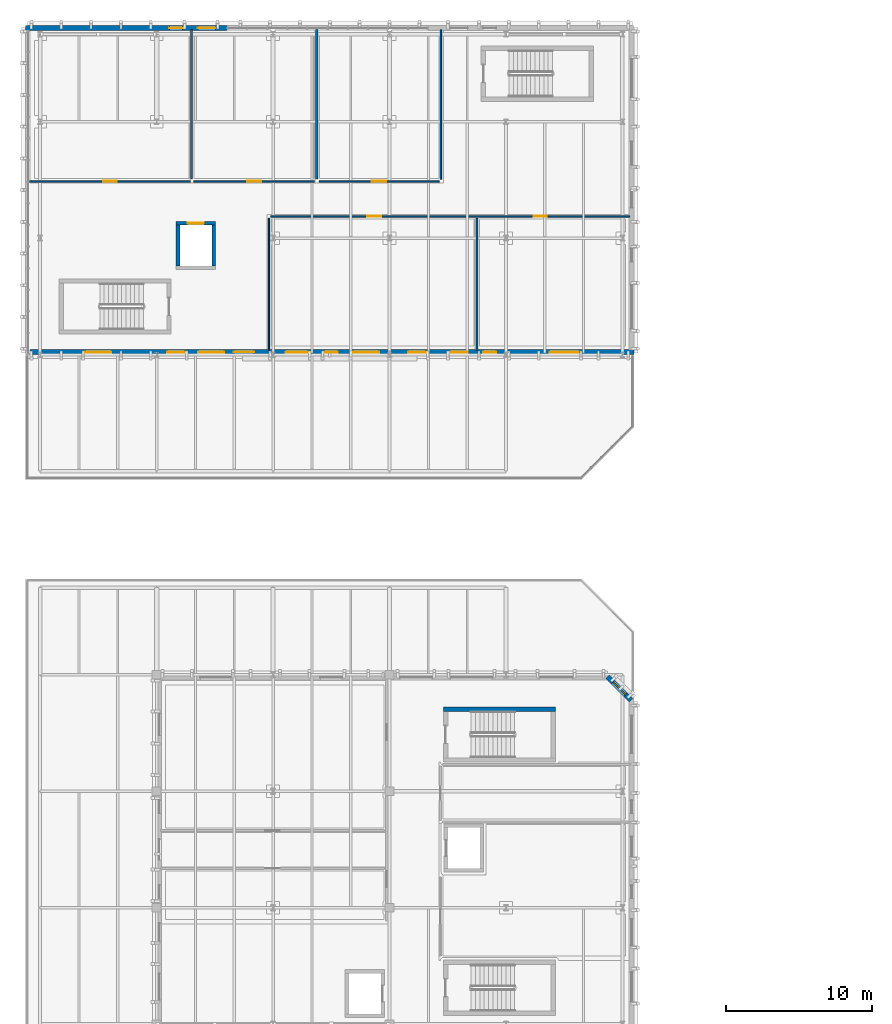
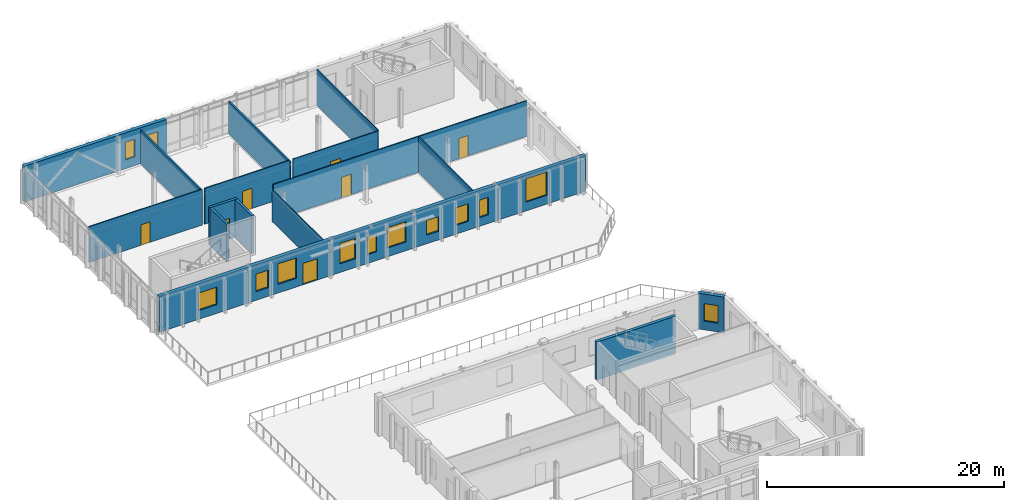
# One storey, part 26 of 43: 16 walls, 13 windows, 7 doors, 20 openings.
"""IFC4 building model written with IfcOpenShell, lengths in metres."""

from ifc_helpers import new_model, si_unit, direction, frame, frame_2d, origin, place, context, subcontext, project, spatial, rectangle, extrude, material, layer, layer_set, type_object, element, fill, save


model = new_model("IFC4")

# Units and contexts
model_context = context("Model", 3, precision=1e-05, world=origin(), true_north=direction((0.0, 1.0)))
body_context = subcontext(model_context, "Body", "Model", "MODEL_VIEW")
ifc_project = project(units=[si_unit("LENGTHUNIT", "METRE"), si_unit("AREAUNIT", "SQUARE_METRE"), si_unit("VOLUMEUNIT", "CUBIC_METRE"), si_unit("PLANEANGLEUNIT", "RADIAN"), si_unit("MASSUNIT", "GRAM", prefix="KILO")], contexts=[model_context])

# Site, building, storey
site_placement = place(None, origin())
site = spatial("IfcSite", under=ifc_project, at=site_placement, CompositionType="ELEMENT")
building_placement = place(site_placement, origin())
building = spatial("IfcBuilding", under=site, at=building_placement, Name="Cymarion Research Institute", CompositionType="ELEMENT")
storey_placement = place(building_placement, frame((0.0, 0.0, 22.800048828125)))
storey = spatial("IfcBuildingStorey", under=building, at=storey_placement, Name="L05", CompositionType="ELEMENT", Elevation=22.800048828125)

# Wall, opening, window
ifc_material_1 = material(Name="Precast concrete C40/50", Category="concrete")
ifc_layer_1 = layer(ifc_material_1, 0.340087890625)
ifc_layer_set_1 = layer_set([ifc_layer_1], Name="Precast concrete C40/50")
wall_type_1 = type_object("IfcWallType", Name="EXTERIOR WALL EW-PC340 340MM", PredefinedType="SOLIDWALL", material=ifc_layer_set_1)
wall_1_placement = place(storey_placement, frame((47.19287109375, 69.7666015625, 0.0), z_axis=(0.0, 0.0, 1.0), x_axis=(-0.707053271271, 0.707160287053, 0.0)))
wall_1 = element("IfcWall", 1, at=wall_1_placement, inside=storey, type_object=wall_type_1, Name="L05 V4 exterior wall EW-PC340 #241", PredefinedType="SOLIDWALL", context=body_context, shape_type="SweptSolid", body=[
    extrude(rectangle(XDim=2.28125, YDim=0.340087890625, at=frame_2d((1.140625, 0.0))), origin(), (0.0, 0.0, 1.0), 3.679931640625),
])
opening_1_placement = place(wall_1_placement, frame((0.541015625, 0.0, 0.89990234375)))
opening_1 = element("IfcOpeningElement", 2, at=opening_1_placement, cuts=wall_1, Name="Opening W01", PredefinedType="OPENING", context=body_context, shape_type="SweptSolid", body=[
    extrude(rectangle(XDim=1.199951171875, YDim=1.800048828125, at=frame_2d((0.60009765625, 0.89990234375))), frame((0.0, 0.179931640625, 0.0), z_axis=(0.0, -1.0, 0.0), x_axis=(1.0, 0.0, 0.0)), (0.0, 0.0, 1.0), 0.360107421875),
])
ifc_material_2 = material(Name="Thermally broken aluminium window with Low-E glazing", Category="aluminium")
window_type_1 = type_object("IfcWindowType", Name="THERMALLY BROKEN ALUMINIUM WINDOW W01 1200X1800", PartitioningType="SINGLE_PANEL", PredefinedType="WINDOW", material=ifc_material_2)
window_1_placement = place(opening_1_placement, origin())
window_1 = element("IfcWindow", 3, at=window_1_placement, inside=storey, type_object=window_type_1, Name="L05 V4 facade window W01 #428", OverallHeight=1.800048828125, OverallWidth=1.199951171875, PartitioningType="SINGLE_PANEL", PredefinedType="WINDOW", context=body_context, shape_type="SweptSolid", body=[
    extrude(rectangle(XDim=1.199951171875, YDim=1.800048828125, at=frame_2d((0.60009765625, 0.89990234375))), frame((0.0, 0.030029296875, 0.0), z_axis=(0.0, -1.0, 0.0), x_axis=(1.0, 0.0, 0.0)), (0.0, 0.0, 1.0), 0.06005859375),
])
fill(opening_1, window_1)

# Wall, openings, door, windows
wall_2_placement = place(storey_placement, frame((5.922119140625, 93.669921875, 0.0), z_axis=(0.0, 0.0, 1.0), x_axis=(1.0, 0.0, 0.0)))
wall_2 = element("IfcWall", 4, at=wall_2_placement, inside=storey, type_object=wall_type_1, Name="L05 V5 exterior wall EW-PC340 #244", PredefinedType="SOLIDWALL", context=body_context, shape_type="SweptSolid", body=[
    extrude(rectangle(XDim=41.477783203125, YDim=0.340087890625, at=frame_2d((20.73876953125, 0.0))), origin(), (0.0, 0.0, 1.0), 3.679931640625),
])
opening_2_placement = place(wall_2_placement, frame((13.97802734375, 0.0, 0.0)))
opening_2 = element("IfcOpeningElement", 5, at=opening_2_placement, cuts=wall_2, Name="Opening D-TR-L05-V5", PredefinedType="OPENING", context=body_context, shape_type="SweptSolid", body=[
    extrude(rectangle(XDim=1.39990234375, YDim=2.199951171875, at=frame_2d((0.699951171875, 1.10009765625))), frame((0.0, 0.179931640625, 0.0), z_axis=(0.0, -1.0, 0.0), x_axis=(1.0, 0.0, 0.0)), (0.0, 0.0, 1.0), 0.360107421875),
])
opening_3_placement = place(wall_2_placement, frame((3.778076171875, 0.0, 0.89990234375)))
opening_3 = element("IfcOpeningElement", 6, at=opening_3_placement, cuts=wall_2, Name="Opening W03", PredefinedType="OPENING", context=body_context, shape_type="SweptSolid", body=[
    extrude(rectangle(XDim=1.800048828125, YDim=1.800048828125, at=frame_2d((0.89990234375, 0.89990234375))), frame((0.0, 0.179931640625, 0.0), z_axis=(0.0, -1.0, 0.0), x_axis=(1.0, 0.0, 0.0)), (0.0, 0.0, 1.0), 0.360107421875),
])
opening_4_placement = place(wall_2_placement, frame((9.39794921875, 0.0, 0.89990234375)))
opening_4 = element("IfcOpeningElement", 7, at=opening_4_placement, cuts=wall_2, Name="Opening W01", PredefinedType="OPENING", context=body_context, shape_type="SweptSolid", body=[
    extrude(rectangle(XDim=1.199951171875, YDim=1.800048828125, at=frame_2d((0.60009765625, 0.89990234375))), frame((0.0, 0.179931640625, 0.0), z_axis=(0.0, -1.0, 0.0), x_axis=(1.0, 0.0, 0.0)), (0.0, 0.0, 1.0), 0.360107421875),
])
opening_5_placement = place(wall_2_placement, frame((11.52294921875, 0.0, 0.89990234375)))
opening_5 = element("IfcOpeningElement", 8, at=opening_5_placement, cuts=wall_2, Name="Opening W10", PredefinedType="OPENING", context=body_context, shape_type="SweptSolid", body=[
    extrude(rectangle(XDim=1.800048828125, YDim=2.10009765625, at=frame_2d((0.89990234375, 1.050048828125))), frame((0.0, 0.179931640625, 0.0), z_axis=(0.0, -1.0, 0.0), x_axis=(1.0, 0.0, 0.0)), (0.0, 0.0, 1.0), 0.360107421875),
])
opening_6_placement = place(wall_2_placement, frame((17.548095703125, 0.0, 0.89990234375)))
opening_6 = element("IfcOpeningElement", 9, at=opening_6_placement, cuts=wall_2, Name="Opening W09", PredefinedType="OPENING", context=body_context, shape_type="SweptSolid", body=[
    extrude(rectangle(XDim=1.5, YDim=2.10009765625, at=frame_2d((0.75, 1.050048828125))), frame((0.0, 0.179931640625, 0.0), z_axis=(0.0, -1.0, 0.0), x_axis=(1.0, 0.0, 0.0)), (0.0, 0.0, 1.0), 0.360107421875),
])
opening_7_placement = place(wall_2_placement, frame((20.22802734375, 0.0, 0.89990234375)))
opening_7 = element("IfcOpeningElement", 10, at=opening_7_placement, cuts=wall_2, Name="Opening W24", PredefinedType="OPENING", context=body_context, shape_type="SweptSolid", body=[
    extrude(rectangle(XDim=0.89990234375, YDim=1.800048828125, at=frame_2d((0.449951171875, 0.89990234375))), frame((0.0, 0.179931640625, 0.0), z_axis=(0.0, -1.0, 0.0), x_axis=(1.0, 0.0, 0.0)), (0.0, 0.0, 1.0), 0.360107421875),
])
opening_8_placement = place(wall_2_placement, frame((22.157958984375, 0.0, 0.89990234375)))
opening_8 = element("IfcOpeningElement", 11, at=opening_8_placement, cuts=wall_2, Name="Opening W10", PredefinedType="OPENING", context=body_context, shape_type="SweptSolid", body=[
    extrude(rectangle(XDim=1.800048828125, YDim=2.10009765625, at=frame_2d((0.89990234375, 1.050048828125))), frame((0.0, 0.179931640625, 0.0), z_axis=(0.0, -1.0, 0.0), x_axis=(1.0, 0.0, 0.0)), (0.0, 0.0, 1.0), 0.360107421875),
])
opening_9_placement = place(wall_2_placement, frame((25.9580078125, 0.0, 0.89990234375)))
opening_9 = element("IfcOpeningElement", 12, at=opening_9_placement, cuts=wall_2, Name="Opening W15", PredefinedType="OPENING", context=body_context, shape_type="SweptSolid", body=[
    extrude(rectangle(XDim=1.199951171875, YDim=1.5, at=frame_2d((0.60009765625, 0.75))), frame((0.0, 0.179931640625, 0.0), z_axis=(0.0, -1.0, 0.0), x_axis=(1.0, 0.0, 0.0)), (0.0, 0.0, 1.0), 0.360107421875),
])
opening_10_placement = place(wall_2_placement, frame((28.837890625, 0.0, 0.89990234375)))
opening_10 = element("IfcOpeningElement", 13, at=opening_10_placement, cuts=wall_2, Name="Opening W01", PredefinedType="OPENING", context=body_context, shape_type="SweptSolid", body=[
    extrude(rectangle(XDim=1.199951171875, YDim=1.800048828125, at=frame_2d((0.60009765625, 0.89990234375))), frame((0.0, 0.179931640625, 0.0), z_axis=(0.0, -1.0, 0.0), x_axis=(1.0, 0.0, 0.0)), (0.0, 0.0, 1.0), 0.360107421875),
])
opening_11_placement = place(wall_2_placement, frame((31.10791015625, 0.0, 0.89990234375)))
opening_11 = element("IfcOpeningElement", 14, at=opening_11_placement, cuts=wall_2, Name="Opening W24", PredefinedType="OPENING", context=body_context, shape_type="SweptSolid", body=[
    extrude(rectangle(XDim=0.89990234375, YDim=1.800048828125, at=frame_2d((0.449951171875, 0.89990234375))), frame((0.0, 0.179931640625, 0.0), z_axis=(0.0, -1.0, 0.0), x_axis=(1.0, 0.0, 0.0)), (0.0, 0.0, 1.0), 0.360107421875),
])
opening_12_placement = place(wall_2_placement, frame((35.677978515625, 0.0, 0.89990234375)))
opening_12 = element("IfcOpeningElement", 15, at=opening_12_placement, cuts=wall_2, Name="Opening W21", PredefinedType="OPENING", context=body_context, shape_type="SweptSolid", body=[
    extrude(rectangle(XDim=2.0, YDim=2.39990234375, at=frame_2d((1.0, 1.199951171875))), frame((0.0, 0.179931640625, 0.0), z_axis=(0.0, -1.0, 0.0), x_axis=(1.0, 0.0, 0.0)), (0.0, 0.0, 1.0), 0.360107421875),
])
ifc_material_3 = material(Name="Thermally broken anodised aluminium glazed door", Category="aluminium")
door_type_1 = type_object("IfcDoorType", Name="GLAZED ALUMINIUM TERRACE ACCESS DOOR DT-TR140 1400X2200", OperationType="NOTDEFINED", PredefinedType="DOOR", material=ifc_material_3)
door_1_placement = place(opening_2_placement, frame((1.39990234375, 0.0, 0.0), z_axis=(0.0, 0.0, 1.0), x_axis=(-1.0, 0.0, 0.0)))
door_1 = element("IfcDoor", 16, at=door_1_placement, inside=storey, type_object=door_type_1, Name="L05 V5 Roof Garden Terrace Door D-TR-L05-V5", OperationType="SINGLE_SWING_RIGHT", OverallHeight=2.199951171875, OverallWidth=1.39990234375, PredefinedType="DOOR", context=body_context, shape_type="SweptSolid", body=[
    extrude(rectangle(XDim=1.39990234375, YDim=2.199951171875, at=frame_2d((0.699951171875, 1.10009765625))), frame((0.0, 0.02490234375, 0.0), z_axis=(0.0, -1.0, 0.0), x_axis=(1.0, 0.0, 0.0)), (0.0, 0.0, 1.0), 0.050048828125),
])
fill(opening_2, door_1)
window_2_placement = place(opening_4_placement, origin())
window_2 = element("IfcWindow", 17, at=window_2_placement, inside=storey, type_object=window_type_1, Name="L05 V5 facade window W01 #440", OverallHeight=1.800048828125, OverallWidth=1.199951171875, PartitioningType="SINGLE_PANEL", PredefinedType="WINDOW", context=body_context, shape_type="SweptSolid", body=[
    extrude(rectangle(XDim=1.199951171875, YDim=1.800048828125, at=frame_2d((0.60009765625, 0.89990234375))), frame((0.0, 0.030029296875, 0.0), z_axis=(0.0, -1.0, 0.0), x_axis=(1.0, 0.0, 0.0)), (0.0, 0.0, 1.0), 0.06005859375),
])
fill(opening_4, window_2)
window_3_placement = place(opening_10_placement, origin())
window_3 = element("IfcWindow", 18, at=window_3_placement, inside=storey, type_object=window_type_1, Name="L05 V5 facade window W01 #446", OverallHeight=1.800048828125, OverallWidth=1.199951171875, PartitioningType="SINGLE_PANEL", PredefinedType="WINDOW", context=body_context, shape_type="SweptSolid", body=[
    extrude(rectangle(XDim=1.199951171875, YDim=1.800048828125, at=frame_2d((0.60009765625, 0.89990234375))), frame((0.0, 0.030029296875, 0.0), z_axis=(0.0, -1.0, 0.0), x_axis=(1.0, 0.0, 0.0)), (0.0, 0.0, 1.0), 0.06005859375),
])
fill(opening_10, window_3)
window_type_2 = type_object("IfcWindowType", Name="THERMALLY BROKEN ALUMINIUM WINDOW W03 1800X1800", PartitioningType="DOUBLE_PANEL_VERTICAL", PredefinedType="WINDOW", material=ifc_material_2)
window_4_placement = place(opening_3_placement, origin())
window_4 = element("IfcWindow", 19, at=window_4_placement, inside=storey, type_object=window_type_2, Name="L05 V5 facade window W03 #439", OverallHeight=1.800048828125, OverallWidth=1.800048828125, PartitioningType="SINGLE_PANEL", PredefinedType="WINDOW", context=body_context, shape_type="SweptSolid", body=[
    extrude(rectangle(XDim=1.800048828125, YDim=1.800048828125, at=frame_2d((0.89990234375, 0.89990234375))), frame((0.0, 0.030029296875, 0.0), z_axis=(0.0, -1.0, 0.0), x_axis=(1.0, 0.0, 0.0)), (0.0, 0.0, 1.0), 0.06005859375),
])
fill(opening_3, window_4)
window_type_3 = type_object("IfcWindowType", Name="THERMALLY BROKEN ALUMINIUM WINDOW W09 1500X2100", PartitioningType="DOUBLE_PANEL_VERTICAL", PredefinedType="WINDOW", material=ifc_material_2)
window_5_placement = place(opening_6_placement, origin())
window_5 = element("IfcWindow", 20, at=window_5_placement, inside=storey, type_object=window_type_3, Name="L05 V5 facade window W09 #442", OverallHeight=2.10009765625, OverallWidth=1.5, PartitioningType="SINGLE_PANEL", PredefinedType="WINDOW", context=body_context, shape_type="SweptSolid", body=[
    extrude(rectangle(XDim=1.5, YDim=2.10009765625, at=frame_2d((0.75, 1.050048828125))), frame((0.0, 0.030029296875, 0.0), z_axis=(0.0, -1.0, 0.0), x_axis=(1.0, 0.0, 0.0)), (0.0, 0.0, 1.0), 0.06005859375),
])
fill(opening_6, window_5)
window_type_4 = type_object("IfcWindowType", Name="THERMALLY BROKEN ALUMINIUM WINDOW W10 1800X2100", PartitioningType="DOUBLE_PANEL_VERTICAL", PredefinedType="WINDOW", material=ifc_material_2)
window_6_placement = place(opening_5_placement, origin())
window_6 = element("IfcWindow", 21, at=window_6_placement, inside=storey, type_object=window_type_4, Name="L05 V5 facade window W10 #441", OverallHeight=2.10009765625, OverallWidth=1.800048828125, PartitioningType="SINGLE_PANEL", PredefinedType="WINDOW", context=body_context, shape_type="SweptSolid", body=[
    extrude(rectangle(XDim=1.800048828125, YDim=2.10009765625, at=frame_2d((0.89990234375, 1.050048828125))), frame((0.0, 0.030029296875, 0.0), z_axis=(0.0, -1.0, 0.0), x_axis=(1.0, 0.0, 0.0)), (0.0, 0.0, 1.0), 0.06005859375),
])
fill(opening_5, window_6)
window_7_placement = place(opening_8_placement, origin())
window_7 = element("IfcWindow", 22, at=window_7_placement, inside=storey, type_object=window_type_4, Name="L05 V5 facade window W10 #444", OverallHeight=2.10009765625, OverallWidth=1.800048828125, PartitioningType="SINGLE_PANEL", PredefinedType="WINDOW", context=body_context, shape_type="SweptSolid", body=[
    extrude(rectangle(XDim=1.800048828125, YDim=2.10009765625, at=frame_2d((0.89990234375, 1.050048828125))), frame((0.0, 0.030029296875, 0.0), z_axis=(0.0, -1.0, 0.0), x_axis=(1.0, 0.0, 0.0)), (0.0, 0.0, 1.0), 0.06005859375),
])
fill(opening_8, window_7)
window_type_5 = type_object("IfcWindowType", Name="THERMALLY BROKEN ALUMINIUM WINDOW W15 1200X1500", PartitioningType="SINGLE_PANEL", PredefinedType="WINDOW", material=ifc_material_2)
window_8_placement = place(opening_9_placement, origin())
window_8 = element("IfcWindow", 23, at=window_8_placement, inside=storey, type_object=window_type_5, Name="L05 V5 facade window W15 #445", OverallHeight=1.5, OverallWidth=1.199951171875, PartitioningType="SINGLE_PANEL", PredefinedType="WINDOW", context=body_context, shape_type="SweptSolid", body=[
    extrude(rectangle(XDim=1.199951171875, YDim=1.5, at=frame_2d((0.60009765625, 0.75))), frame((0.0, 0.030029296875, 0.0), z_axis=(0.0, -1.0, 0.0), x_axis=(1.0, 0.0, 0.0)), (0.0, 0.0, 1.0), 0.06005859375),
])
fill(opening_9, window_8)
window_type_6 = type_object("IfcWindowType", Name="THERMALLY BROKEN ALUMINIUM WINDOW W21 2000X2400", PartitioningType="DOUBLE_PANEL_VERTICAL", PredefinedType="WINDOW", material=ifc_material_2)
window_9_placement = place(opening_12_placement, origin())
window_9 = element("IfcWindow", 24, at=window_9_placement, inside=storey, type_object=window_type_6, Name="L05 V5 facade window W21 #448", OverallHeight=2.39990234375, OverallWidth=2.0, PartitioningType="SINGLE_PANEL", PredefinedType="WINDOW", context=body_context, shape_type="SweptSolid", body=[
    extrude(rectangle(XDim=2.0, YDim=2.39990234375, at=frame_2d((1.0, 1.199951171875))), frame((0.0, 0.030029296875, 0.0), z_axis=(0.0, -1.0, 0.0), x_axis=(1.0, 0.0, 0.0)), (0.0, 0.0, 1.0), 0.06005859375),
])
fill(opening_12, window_9)
window_type_7 = type_object("IfcWindowType", Name="THERMALLY BROKEN ALUMINIUM WINDOW W24 900X1800", PartitioningType="SINGLE_PANEL", PredefinedType="WINDOW", material=ifc_material_2)
window_10_placement = place(opening_7_placement, origin())
window_10 = element("IfcWindow", 25, at=window_10_placement, inside=storey, type_object=window_type_7, Name="L05 V5 facade window W24 #443", OverallHeight=1.800048828125, OverallWidth=0.89990234375, PartitioningType="SINGLE_PANEL", PredefinedType="WINDOW", context=body_context, shape_type="SweptSolid", body=[
    extrude(rectangle(XDim=0.89990234375, YDim=1.800048828125, at=frame_2d((0.449951171875, 0.89990234375))), frame((0.0, 0.030029296875, 0.0), z_axis=(0.0, -1.0, 0.0), x_axis=(1.0, 0.0, 0.0)), (0.0, 0.0, 1.0), 0.06005859375),
])
fill(opening_7, window_10)
window_11_placement = place(opening_11_placement, origin())
window_11 = element("IfcWindow", 26, at=window_11_placement, inside=storey, type_object=window_type_7, Name="L05 V5 facade window W24 #447", OverallHeight=1.800048828125, OverallWidth=0.89990234375, PartitioningType="SINGLE_PANEL", PredefinedType="WINDOW", context=body_context, shape_type="SweptSolid", body=[
    extrude(rectangle(XDim=0.89990234375, YDim=1.800048828125, at=frame_2d((0.449951171875, 0.89990234375))), frame((0.0, 0.030029296875, 0.0), z_axis=(0.0, -1.0, 0.0), x_axis=(1.0, 0.0, 0.0)), (0.0, 0.0, 1.0), 0.06005859375),
])
fill(opening_11, window_11)

# Wall, openings, windows
wall_3_placement = place(storey_placement, frame((19.426025390625, 115.929931640625, 0.0), z_axis=(0.0, 0.0, 1.0), x_axis=(-1.0, 0.0, 0.0)))
wall_3 = element("IfcWall", 27, at=wall_3_placement, inside=storey, type_object=wall_type_1, Name="L05 V5 facade pier wall EW-PC340 #247", PredefinedType="SOLIDWALL", context=body_context, shape_type="SweptSolid", body=[
    extrude(rectangle(XDim=13.825927734375, YDim=0.340087890625, at=frame_2d((6.9130859375, 0.0))), origin(), (0.0, 0.0, 1.0), 3.679931640625),
])
opening_13_placement = place(wall_3_placement, frame((0.782958984375, 0.0, 0.89990234375)))
opening_13 = element("IfcOpeningElement", 28, at=opening_13_placement, cuts=wall_3, Name="Opening W01", PredefinedType="OPENING", context=body_context, shape_type="SweptSolid", body=[
    extrude(rectangle(XDim=1.199951171875, YDim=1.800048828125, at=frame_2d((0.60009765625, 0.89990234375))), frame((0.0, 0.179931640625, 0.0), z_axis=(0.0, -1.0, 0.0), x_axis=(1.0, 0.0, 0.0)), (0.0, 0.0, 1.0), 0.360107421875),
])
opening_14_placement = place(wall_3_placement, frame((3.0458984375, 0.0, 0.89990234375)))
opening_14 = element("IfcOpeningElement", 29, at=opening_14_placement, cuts=wall_3, Name="Opening W24", PredefinedType="OPENING", context=body_context, shape_type="SweptSolid", body=[
    extrude(rectangle(XDim=0.89990234375, YDim=1.800048828125, at=frame_2d((0.449951171875, 0.89990234375))), frame((0.0, 0.179931640625, 0.0), z_axis=(0.0, -1.0, 0.0), x_axis=(1.0, 0.0, 0.0)), (0.0, 0.0, 1.0), 0.360107421875),
])
window_12_placement = place(opening_13_placement, origin())
window_12 = element("IfcWindow", 30, at=window_12_placement, inside=storey, type_object=window_type_1, Name="L05 V5 facade window W01 #456", OverallHeight=1.800048828125, OverallWidth=1.199951171875, PartitioningType="SINGLE_PANEL", PredefinedType="WINDOW", context=body_context, shape_type="SweptSolid", body=[
    extrude(rectangle(XDim=1.199951171875, YDim=1.800048828125, at=frame_2d((0.60009765625, 0.89990234375))), frame((0.0, 0.030029296875, 0.0), z_axis=(0.0, -1.0, 0.0), x_axis=(1.0, 0.0, 0.0)), (0.0, 0.0, 1.0), 0.06005859375),
])
fill(opening_13, window_12)
window_13_placement = place(opening_14_placement, origin())
window_13 = element("IfcWindow", 31, at=window_13_placement, inside=storey, type_object=window_type_7, Name="L05 V5 facade window W24 #457", OverallHeight=1.800048828125, OverallWidth=0.89990234375, PartitioningType="SINGLE_PANEL", PredefinedType="WINDOW", context=body_context, shape_type="SweptSolid", body=[
    extrude(rectangle(XDim=0.89990234375, YDim=1.800048828125, at=frame_2d((0.449951171875, 0.89990234375))), frame((0.0, 0.030029296875, 0.0), z_axis=(0.0, -1.0, 0.0), x_axis=(1.0, 0.0, 0.0)), (0.0, 0.0, 1.0), 0.06005859375),
])
fill(opening_14, window_13)

# Walls
ifc_material_4 = material(Name="Gypsum acoustic double-stud partition", Category="gypsum")
ifc_layer_2 = layer(ifc_material_4, 0.14990234375)
ifc_layer_set_2 = layer_set([ifc_layer_2], Name="Gypsum acoustic double-stud partition")
wall_type_2 = type_object("IfcWallType", Name="INTERIOR PARTITION IW-AC150 150MM", PredefinedType="PARTITIONING", material=ifc_layer_set_2)
wall_4_placement = place(storey_placement, frame((17.0, 105.56005859375, 0.0), z_axis=(0.0, 0.0, 1.0), x_axis=(0.0, 1.0, 0.0)))
element("IfcWall", 32, at=wall_4_placement, inside=storey, type_object=wall_type_2, Name="L05 V5 interior partition IW-AC150 #338", PredefinedType="PARTITIONING", context=body_context, shape_type="SweptSolid", body=[
    extrude(rectangle(XDim=10.2548828125, YDim=0.14990234375, at=frame_2d((5.12744140625, 0.0))), origin(), (0.0, 0.0, 1.0), 3.43994140625),
])
wall_5_placement = place(storey_placement, frame((25.60009765625, 105.56005859375, 0.0), z_axis=(0.0, 0.0, 1.0), x_axis=(0.0, 1.0, 0.0)))
element("IfcWall", 33, at=wall_5_placement, inside=storey, type_object=wall_type_2, Name="L05 V5 interior partition IW-AC150 #339", PredefinedType="PARTITIONING", context=body_context, shape_type="SweptSolid", body=[
    extrude(rectangle(XDim=10.2548828125, YDim=0.14990234375, at=frame_2d((5.12744140625, 0.0))), origin(), (0.0, 0.0, 1.0), 3.3798828125),
])
ifc_material_5 = material(Name="Framed acoustic glass laboratory screen", Category="glass")
ifc_layer_3 = layer(ifc_material_5, 0.10009765625)
ifc_layer_set_3 = layer_set([ifc_layer_3], Name="Framed acoustic glass laboratory screen")
wall_type_3 = type_object("IfcWallType", Name="INTERIOR PARTITION IW-GL100 100MM", PredefinedType="PARTITIONING", material=ifc_layer_set_3)
wall_6_placement = place(storey_placement, frame((22.320068359375, 93.784912109375, 0.0), z_axis=(0.0, 0.0, 1.0), x_axis=(0.0, 1.0, 0.0)))
element("IfcWall", 34, at=wall_6_placement, inside=storey, type_object=wall_type_3, Name="L05 V5 interior partition IW-GL100 #335", PredefinedType="PARTITIONING", context=body_context, shape_type="SweptSolid", body=[
    extrude(rectangle(XDim=9.0751953125, YDim=0.10009765625, at=frame_2d((4.53759765625, 0.0))), origin(), (0.0, 0.0, 1.0), 3.280029296875),
])

# Wall, openings, doors
wall_7_placement = place(storey_placement, frame((22.43994140625, 103.0, 0.0), z_axis=(0.0, 0.0, 1.0), x_axis=(1.0, 0.0, 0.0)))
wall_7 = element("IfcWall", 35, at=wall_7_placement, inside=storey, type_object=wall_type_3, Name="L05 V5 interior partition IW-GL100 #337", PredefinedType="PARTITIONING", context=body_context, shape_type="SweptSolid", body=[
    extrude(rectangle(XDim=24.675048828125, YDim=0.10009765625, at=frame_2d((12.33740234375, 0.0))), origin(), (0.0, 0.0, 1.0), 3.679931640625),
])
opening_15_placement = place(wall_7_placement, frame((6.64306640625, 0.0, 0.0)))
opening_15 = element("IfcOpeningElement", 36, at=opening_15_placement, cuts=wall_7, Name="Opening D-L05-201", PredefinedType="OPENING", context=body_context, shape_type="SweptSolid", body=[
    extrude(rectangle(XDim=0.949951171875, YDim=2.10009765625, at=frame_2d((0.47509765625, 1.050048828125))), frame((0.0, 0.06005859375, 0.0), z_axis=(0.0, -1.0, 0.0), x_axis=(1.0, 0.0, 0.0)), (0.0, 0.0, 1.0), 0.1201171875),
])
opening_16_placement = place(wall_7_placement, frame((18.069091796875, 0.0, 0.0)))
opening_16 = element("IfcOpeningElement", 37, at=opening_16_placement, cuts=wall_7, Name="Opening D-L05-202", PredefinedType="OPENING", context=body_context, shape_type="SweptSolid", body=[
    extrude(rectangle(XDim=0.89990234375, YDim=2.10009765625, at=frame_2d((0.449951171875, 1.050048828125))), frame((0.0, 0.06005859375, 0.0), z_axis=(0.0, -1.0, 0.0), x_axis=(1.0, 0.0, 0.0)), (0.0, 0.0, 1.0), 0.1201171875),
])
ifc_material_6 = material(Name="Flush acoustic timber/steel door assembly", Category="steel")
door_type_2 = type_object("IfcDoorType", Name="ACCESSIBLE RESTROOM DOOR DT-WC090 900X2100", OperationType="NOTDEFINED", PredefinedType="DOOR", material=ifc_material_6)
door_2_placement = place(opening_16_placement, origin())
door_2 = element("IfcDoor", 38, at=door_2_placement, inside=storey, type_object=door_type_2, Name="L05 Upper V5 WC door D-L05-202", OperationType="SINGLE_SWING_LEFT", OverallHeight=2.10009765625, OverallWidth=0.89990234375, PredefinedType="DOOR", context=body_context, shape_type="SweptSolid", body=[
    extrude(rectangle(XDim=0.89990234375, YDim=2.10009765625, at=frame_2d((0.449951171875, 1.050048828125))), frame((0.0, 0.02490234375, 0.0), z_axis=(0.0, -1.0, 0.0), x_axis=(1.0, 0.0, 0.0)), (0.0, 0.0, 1.0), 0.050048828125),
])
fill(opening_16, door_2)
door_type_3 = type_object("IfcDoorType", Name="FACULTY STUDY DOOR DT-OF095 950X2100", OperationType="NOTDEFINED", PredefinedType="DOOR", material=ifc_material_6)
door_3_placement = place(opening_15_placement, origin())
door_3 = element("IfcDoor", 39, at=door_3_placement, inside=storey, type_object=door_type_3, Name="L05 Terrace Seminar door D-L05-201", OperationType="SINGLE_SWING_RIGHT", OverallHeight=2.10009765625, OverallWidth=0.949951171875, PredefinedType="DOOR", context=body_context, shape_type="SweptSolid", body=[
    extrude(rectangle(XDim=0.949951171875, YDim=2.10009765625, at=frame_2d((0.47509765625, 1.050048828125))), frame((0.0, 0.02490234375, 0.0), z_axis=(0.0, -1.0, 0.0), x_axis=(1.0, 0.0, 0.0)), (0.0, 0.0, 1.0), 0.050048828125),
])
fill(opening_15, door_3)

# Wall
wall_8_placement = place(storey_placement, frame((34.1201171875, 105.5400390625, 0.0), z_axis=(0.0, 0.0, 1.0), x_axis=(0.0, 1.0, 0.0)))
element("IfcWall", 40, at=wall_8_placement, inside=storey, type_object=wall_type_3, Name="L05 V5 interior partition IW-GL100 #340", PredefinedType="PARTITIONING", context=body_context, shape_type="SweptSolid", body=[
    extrude(rectangle(XDim=10.27490234375, YDim=0.10009765625, at=frame_2d((5.137451171875, 0.0))), origin(), (0.0, 0.0, 1.0), 3.679931640625),
])

# Wall, opening, door
wall_9_placement = place(storey_placement, frame((5.885009765625, 105.39990234375, 0.0), z_axis=(0.0, 0.0, 1.0), x_axis=(1.0, 0.0, 0.0)))
wall_9 = element("IfcWall", 41, at=wall_9_placement, inside=storey, type_object=wall_type_3, Name="L05 V5 interior partition IW-GL100 #341", PredefinedType="PARTITIONING", context=body_context, shape_type="SweptSolid", body=[
    extrude(rectangle(XDim=11.034912109375, YDim=0.10009765625, at=frame_2d((5.517578125, 0.0))), origin(), (0.0, 0.0, 1.0), 3.679931640625),
])
opening_17_placement = place(wall_9_placement, frame((5.06689453125, 0.0, 0.0)))
opening_17 = element("IfcOpeningElement", 42, at=opening_17_placement, cuts=wall_9, Name="Opening D-L05-203", PredefinedType="OPENING", context=body_context, shape_type="SweptSolid", body=[
    extrude(rectangle(XDim=0.89990234375, YDim=2.10009765625, at=frame_2d((0.449951171875, 1.050048828125))), frame((0.0, 0.06005859375, 0.0), z_axis=(0.0, -1.0, 0.0), x_axis=(1.0, 0.0, 0.0)), (0.0, 0.0, 1.0), 0.1201171875),
])
door_type_4 = type_object("IfcDoorType", Name="RESEARCH WRITE-UP OFFICE DOOR DT-OF090 900X2100", OperationType="NOTDEFINED", PredefinedType="DOOR", material=ifc_material_6)
door_4_placement = place(opening_17_placement, origin())
door_4 = element("IfcDoor", 43, at=door_4_placement, inside=storey, type_object=door_type_4, Name="L05 Faculty Office W door D-L05-203", OperationType="SINGLE_SWING_RIGHT", OverallHeight=2.10009765625, OverallWidth=0.89990234375, PredefinedType="DOOR", context=body_context, shape_type="SweptSolid", body=[
    extrude(rectangle(XDim=0.89990234375, YDim=2.10009765625, at=frame_2d((0.449951171875, 1.050048828125))), frame((0.0, 0.02490234375, 0.0), z_axis=(0.0, -1.0, 0.0), x_axis=(1.0, 0.0, 0.0)), (0.0, 0.0, 1.0), 0.050048828125),
])
fill(opening_17, door_4)

wall_10_placement = place(storey_placement, frame((17.159912109375, 105.39990234375, 0.0), z_axis=(0.0, 0.0, 1.0), x_axis=(1.0, 0.0, 0.0)))
wall_10 = element("IfcWall", 44, at=wall_10_placement, inside=storey, type_object=wall_type_3, Name="L05 V5 interior partition IW-GL100 #342", PredefinedType="PARTITIONING", context=body_context, shape_type="SweptSolid", body=[
    extrude(rectangle(XDim=8.280029296875, YDim=0.10009765625, at=frame_2d((4.14013671875, 0.0))), origin(), (0.0, 0.0, 1.0), 3.679931640625),
])
opening_18_placement = place(wall_10_placement, frame((3.6650390625, 0.0, 0.0)))
opening_18 = element("IfcOpeningElement", 45, at=opening_18_placement, cuts=wall_10, Name="Opening D-L05-204", PredefinedType="OPENING", context=body_context, shape_type="SweptSolid", body=[
    extrude(rectangle(XDim=0.949951171875, YDim=2.10009765625, at=frame_2d((0.47509765625, 1.050048828125))), frame((0.0, 0.06005859375, 0.0), z_axis=(0.0, -1.0, 0.0), x_axis=(1.0, 0.0, 0.0)), (0.0, 0.0, 1.0), 0.1201171875),
])
door_5_placement = place(opening_18_placement, origin())
door_5 = element("IfcDoor", 46, at=door_5_placement, inside=storey, type_object=door_type_3, Name="L05 Postdoc Write-Up door D-L05-204", OperationType="SINGLE_SWING_LEFT", OverallHeight=2.10009765625, OverallWidth=0.949951171875, PredefinedType="DOOR", context=body_context, shape_type="SweptSolid", body=[
    extrude(rectangle(XDim=0.949951171875, YDim=2.10009765625, at=frame_2d((0.47509765625, 1.050048828125))), frame((0.0, 0.02490234375, 0.0), z_axis=(0.0, -1.0, 0.0), x_axis=(1.0, 0.0, 0.0)), (0.0, 0.0, 1.0), 0.050048828125),
])
fill(opening_18, door_5)

wall_11_placement = place(storey_placement, frame((25.760009765625, 105.39990234375, 0.0), z_axis=(0.0, 0.0, 1.0), x_axis=(1.0, 0.0, 0.0)))
wall_11 = element("IfcWall", 47, at=wall_11_placement, inside=storey, type_object=wall_type_3, Name="L05 V5 interior partition IW-GL100 #343", PredefinedType="PARTITIONING", context=body_context, shape_type="SweptSolid", body=[
    extrude(rectangle(XDim=8.239990234375, YDim=0.10009765625, at=frame_2d((4.1201171875, 0.0))), origin(), (0.0, 0.0, 1.0), 3.679931640625),
])
opening_19_placement = place(wall_11_placement, frame((3.6201171875, 0.0, 0.0)))
opening_19 = element("IfcOpeningElement", 48, at=opening_19_placement, cuts=wall_11, Name="Opening D-L05-205", PredefinedType="OPENING", context=body_context, shape_type="SweptSolid", body=[
    extrude(rectangle(XDim=1.0, YDim=2.14990234375, at=frame_2d((0.5, 1.074951171875))), frame((0.0, 0.06005859375, 0.0), z_axis=(0.0, -1.0, 0.0), x_axis=(1.0, 0.0, 0.0)), (0.0, 0.0, 1.0), 0.1201171875),
])
door_type_5 = type_object("IfcDoorType", Name="LABORATORY SINGLE LEAF DOOR DT-LB100 1000X2150", OperationType="NOTDEFINED", PredefinedType="DOOR", material=ifc_material_6)
door_6_placement = place(opening_19_placement, origin())
door_6 = element("IfcDoor", 49, at=door_6_placement, inside=storey, type_object=door_type_5, Name="L05 AI Visualization Lab door D-L05-205", OperationType="SINGLE_SWING_RIGHT", OverallHeight=2.14990234375, OverallWidth=1.0, PredefinedType="DOOR", context=body_context, shape_type="SweptSolid", body=[
    extrude(rectangle(XDim=1.0, YDim=2.14990234375, at=frame_2d((0.5, 1.074951171875))), frame((0.0, 0.02490234375, 0.0), z_axis=(0.0, -1.0, 0.0), x_axis=(1.0, 0.0, 0.0)), (0.0, 0.0, 1.0), 0.050048828125),
])
fill(opening_19, door_6)

# Wall
ifc_material_7 = material(Name="Service riser shaft wall", Category="gypsum")
ifc_layer_4 = layer(ifc_material_7, 0.1201171875)
ifc_layer_set_4 = layer_set([ifc_layer_4], Name="Service riser shaft wall")
wall_type_4 = type_object("IfcWallType", Name="INTERIOR PARTITION IW-SH120 120MM", PredefinedType="PARTITIONING", material=ifc_layer_set_4)
wall_12_placement = place(storey_placement, frame((36.60009765625, 93.784912109375, 0.0), z_axis=(0.0, 0.0, 1.0), x_axis=(0.0, 1.0, 0.0)))
element("IfcWall", 50, at=wall_12_placement, inside=storey, type_object=wall_type_4, Name="L05 V5 interior partition IW-SH120 #336", PredefinedType="PARTITIONING", context=body_context, shape_type="SweptSolid", body=[
    extrude(rectangle(XDim=9.094970703125, YDim=0.1201171875, at=frame_2d((4.54736328125, 0.0))), origin(), (0.0, 0.0, 1.0), 3.679931640625),
])

# Wall, opening, door
ifc_material_8 = material(Name="Concrete C40/50", Category="concrete")
ifc_layer_5 = layer(ifc_material_8, 0.25)
ifc_layer_set_5 = layer_set([ifc_layer_5], Name="Concrete C40/50")
wall_type_5 = type_object("IfcWallType", Name="REINFORCED CONCRETE CORE WALL CW-SH250 250MM", PredefinedType="SHEAR", material=ifc_layer_set_5)
wall_13_placement = place(storey_placement, frame((18.64990234375, 102.52490234375, 0.0), z_axis=(0.0, 0.0, 1.0), x_axis=(-1.0, 0.0, 0.0)))
wall_13 = element("IfcWall", 51, at=wall_13_placement, inside=storey, type_object=wall_type_5, Name="L05 LSH-LP5-L05 north core wall", PredefinedType="SHEAR", context=body_context, shape_type="SweptSolid", body=[
    extrude(rectangle(XDim=2.699951171875, YDim=0.25, at=frame_2d((1.35009765625, 0.0))), origin(), (0.0, 0.0, 1.0), 3.89990234375),
])
opening_20_placement = place(wall_13_placement, frame((0.800048828125, 0.0, 0.0)))
opening_20 = element("IfcOpeningElement", 52, at=opening_20_placement, cuts=wall_13, Name="Opening LD-LP5-L05", PredefinedType="OPENING", context=body_context, shape_type="SweptSolid", body=[
    extrude(rectangle(XDim=1.10009765625, YDim=2.14990234375, at=frame_2d((0.550048828125, 1.074951171875))), frame((0.0, 0.135009765625, 0.0), z_axis=(0.0, -1.0, 0.0), x_axis=(1.0, 0.0, 0.0)), (0.0, 0.0, 1.0), 0.27001953125),
])
ifc_material_9 = material(Name="Fire-rated insulated steel door assembly", Category="steel")
door_type_6 = type_object("IfcDoorType", Name="SLIDING LIFT LANDING DOOR DT-LD110 1100X2150", OperationType="DOUBLE_DOOR_SLIDING", PredefinedType="DOOR", material=ifc_material_9)
door_7_placement = place(opening_20_placement, origin())
door_7 = element("IfcDoor", 53, at=door_7_placement, inside=storey, type_object=door_type_6, Name="Lift LP5 landing door L05", OperationType="DOUBLE_DOOR_SLIDING", OverallHeight=2.14990234375, OverallWidth=1.10009765625, PredefinedType="DOOR", context=body_context, shape_type="SweptSolid", body=[
    extrude(rectangle(XDim=1.10009765625, YDim=2.14990234375, at=frame_2d((0.550048828125, 1.074951171875))), frame((0.0, 0.02490234375, 0.0), z_axis=(0.0, -1.0, 0.0), x_axis=(1.0, 0.0, 0.0)), (0.0, 0.0, 1.0), 0.050048828125),
])
fill(opening_20, door_7)

# Walls
for number, where, z_axis, x_axis, name in (
    (54, (16.074951171875, 102.39990234375, 0.0), (0.0, 0.0, 1.0), (0.0, -1.0, 0.0), "L05 LSH-LP5-L05 west core wall"),
    (55, (18.52490234375, 99.60009765625, 0.0), (0.0, 0.0, 1.0), (0.0, 1.0, 0.0), "L05 LSH-LP5-L05 east core wall"),
):
    element("IfcWall", number, at=place(storey_placement, frame(where, z_axis=z_axis, x_axis=x_axis)), inside=storey, type_object=wall_type_5, Name=name, PredefinedType="SHEAR", context=body_context, shape_type="SweptSolid", body=[
        extrude(rectangle(XDim=2.7998046875, YDim=0.25, at=frame_2d((1.39990234375, 0.0))), origin(), (0.0, 0.0, 1.0), 3.89990234375),
    ])
ifc_layer_6 = layer(ifc_material_8, 0.300048828125)
ifc_layer_set_6 = layer_set([ifc_layer_6], Name="Concrete C40/50")
wall_type_6 = type_object("IfcWallType", Name="REINFORCED CONCRETE CORE WALL CW-SH300 300MM", PredefinedType="SHEAR", material=ifc_layer_set_6)
wall_14_placement = place(storey_placement, frame((42.0, 69.14990234375, 0.0), z_axis=(0.0, 0.0, 1.0), x_axis=(-1.0, 0.0, 0.0)))
element("IfcWall", 56, at=wall_14_placement, inside=storey, type_object=wall_type_6, Name="L05 SHW-C8-L05 north core wall", PredefinedType="SHEAR", context=body_context, shape_type="SweptSolid", body=[
    extrude(rectangle(XDim=7.699951171875, YDim=0.300048828125, at=frame_2d((3.85009765625, 0.0))), origin(), (0.0, 0.0, 1.0), 3.89990234375),
])

save(model, "model.ifc")
